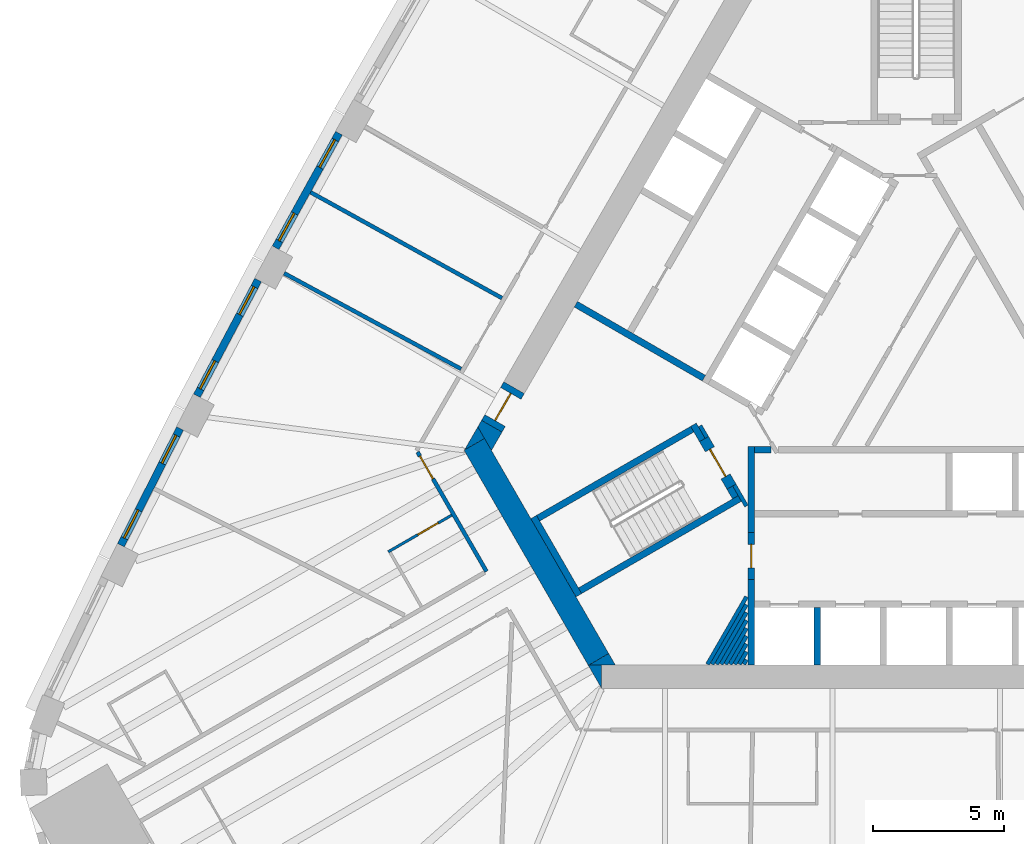
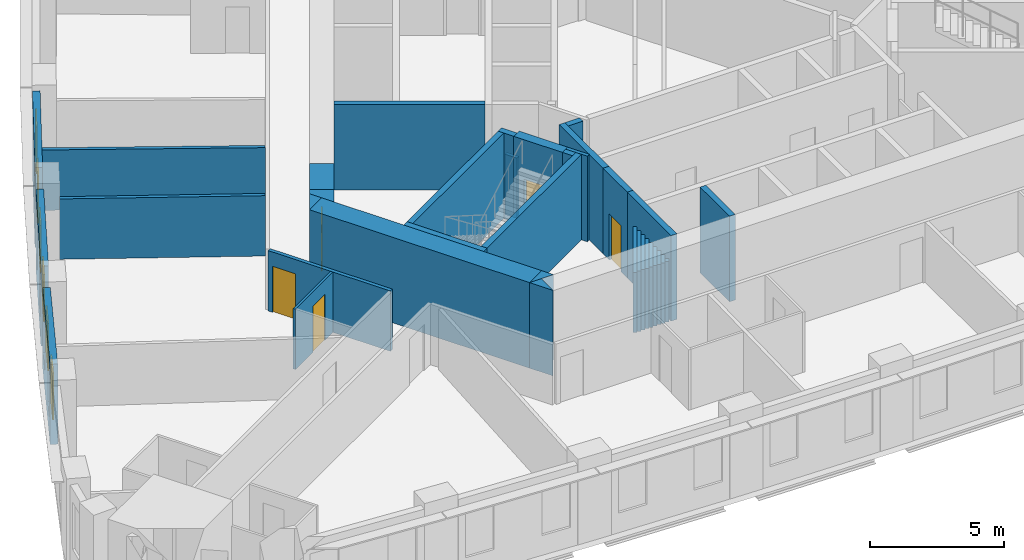
# One storey, part 4 of 12: 36 walls, 6 windows, 5 doors, 11 openings.
"""IFC4 building model written with IfcOpenShell, lengths in metres."""

from ifc_helpers import new_model, si_unit, direction, frame, frame_2d, origin, place, context, subcontext, project, spatial, polyline, rectangle, outline, extrude, material, layer, layer_set, type_object, element, fill, save


model = new_model("IFC4")

# Units and contexts
model_context = context("Model", 3, precision=1e-05, world=origin(), true_north=direction((0.0, 1.0)))
body_context = subcontext(model_context, "Body", "Model", "MODEL_VIEW")
ifc_project = project(units=[si_unit("LENGTHUNIT", "METRE"), si_unit("AREAUNIT", "SQUARE_METRE"), si_unit("VOLUMEUNIT", "CUBIC_METRE"), si_unit("PLANEANGLEUNIT", "RADIAN"), si_unit("MASSUNIT", "GRAM", prefix="KILO")], contexts=[model_context])

# Site, building, storey
site_placement = place(None, origin())
site = spatial("IfcSite", under=ifc_project, at=site_placement, CompositionType="ELEMENT")
building_placement = place(site_placement, origin())
building = spatial("IfcBuilding", under=site, at=building_placement, Name="Mestral Congress Tower", CompositionType="ELEMENT")
storey_placement = place(building_placement, frame((0.0, 0.0, 70.5)))
storey = spatial("IfcBuildingStorey", under=building, at=storey_placement, Name="L16", CompositionType="ELEMENT", Elevation=70.5)

# Walls
ifc_material_1 = material(Name="Fire-rated board partition")
ifc_layer_1 = layer(ifc_material_1, 0.14990234375)
ifc_layer_set_1 = layer_set([ifc_layer_1], Name="Fire-rated board partition")
wall_type_1 = type_object("IfcWallType", Name="Core partition 150", PredefinedType="PARTITIONING", material=ifc_layer_set_1)
wall_1_placement = place(storey_placement, frame((-7.967529296875, -12.068115234375, 0.0), z_axis=(0.0, 0.0, 1.0), x_axis=(0.500013701029, 0.866017493347, 0.0)))
element("IfcWall", 1, at=wall_1_placement, inside=storey, type_object=wall_type_1, Name="L16 core wall", PredefinedType="PARTITIONING", context=body_context, shape_type="SweptSolid", body=[
    extrude(rectangle(XDim=2.97509765625, YDim=0.14990234375, at=frame_2d((1.487548828125, 0.0))), origin(), (0.0, 0.0, 1.0), 2.75),
])
wall_2_placement = place(storey_placement, frame((-7.794189453125, -12.068115234375, 0.0), z_axis=(0.0, 0.0, 1.0), x_axis=(0.499985098601, 0.86603400694, 0.0)))
element("IfcWall", 2, at=wall_2_placement, inside=storey, type_object=wall_type_1, Name="L16 core wall", PredefinedType="PARTITIONING", context=body_context, shape_type="SweptSolid", body=[
    extrude(rectangle(XDim=2.62841796875, YDim=0.14990234375, at=frame_2d((1.314208984375, 0.0))), origin(), (0.0, 0.0, 1.0), 2.75),
])
wall_3_placement = place(storey_placement, frame((-7.62109375, -12.068115234375, 0.0), z_axis=(0.0, 0.0, 1.0), x_axis=(0.500028047758, 0.866009209798, 0.0)))
element("IfcWall", 3, at=wall_3_placement, inside=storey, type_object=wall_type_1, Name="L16 core wall", PredefinedType="PARTITIONING", context=body_context, shape_type="SweptSolid", body=[
    extrude(rectangle(XDim=2.281982421875, YDim=0.14990234375, at=frame_2d((1.14111328125, 0.0))), origin(), (0.0, 0.0, 1.0), 2.75),
])
wall_4_placement = place(storey_placement, frame((-7.447998046875, -12.068115234375, 0.0), z_axis=(0.0, 0.0, 1.0), x_axis=(0.500031751504, 0.866007071269, 0.0)))
element("IfcWall", 4, at=wall_4_placement, inside=storey, type_object=wall_type_1, Name="L16 core wall", PredefinedType="PARTITIONING", context=body_context, shape_type="SweptSolid", body=[
    extrude(rectangle(XDim=1.935791015625, YDim=0.14990234375, at=frame_2d((0.9677734375, 0.0))), origin(), (0.0, 0.0, 1.0), 2.75),
])
wall_5_placement = place(storey_placement, frame((-7.274658203125, -12.068115234375, 0.0), z_axis=(0.0, 0.0, 1.0), x_axis=(0.499988385283, 0.86603210944, 0.0)))
element("IfcWall", 5, at=wall_5_placement, inside=storey, type_object=wall_type_1, Name="L16 core wall", PredefinedType="PARTITIONING", context=body_context, shape_type="SweptSolid", body=[
    extrude(rectangle(XDim=1.58935546875, YDim=0.14990234375, at=frame_2d((0.794677734375, 0.0))), origin(), (0.0, 0.0, 1.0), 2.75),
])
wall_6_placement = place(storey_placement, frame((-7.1015625, -12.068115234375, 0.0), z_axis=(0.0, 0.0, 1.0), x_axis=(0.500068153333, 0.865986051864, 0.0)))
element("IfcWall", 6, at=wall_6_placement, inside=storey, type_object=wall_type_1, Name="L16 core wall", PredefinedType="PARTITIONING", context=body_context, shape_type="SweptSolid", body=[
    extrude(rectangle(XDim=1.242919921875, YDim=0.14990234375, at=frame_2d((0.62158203125, 0.0))), origin(), (0.0, 0.0, 1.0), 2.75),
])
wall_7_placement = place(storey_placement, frame((-6.92822265625, -12.068115234375, 0.0), z_axis=(0.0, 0.0, 1.0), x_axis=(0.500005339912, 0.866022320763, 0.0)))
element("IfcWall", 7, at=wall_7_placement, inside=storey, type_object=wall_type_1, Name="L16 core wall", PredefinedType="PARTITIONING", context=body_context, shape_type="SweptSolid", body=[
    extrude(rectangle(XDim=0.896484375, YDim=0.14990234375, at=frame_2d((0.4482421875, 0.0))), origin(), (0.0, 0.0, 1.0), 2.75),
])
wall_8_placement = place(storey_placement, frame((-6.755126953125, -12.068115234375, 0.0), z_axis=(0.0, 0.0, 1.0), x_axis=(0.500196256984, 0.865912065108, 0.0)))
element("IfcWall", 8, at=wall_8_placement, inside=storey, type_object=wall_type_1, Name="L16 core wall", PredefinedType="PARTITIONING", context=body_context, shape_type="SweptSolid", body=[
    extrude(rectangle(XDim=0.550048828125, YDim=0.14990234375, at=frame_2d((0.27490234375, 0.0))), origin(), (0.0, 0.0, 1.0), 2.75),
])
wall_9_placement = place(storey_placement, frame((-6.581787109375, -12.068115234375, 0.0), z_axis=(0.0, 0.0, 1.0), x_axis=(0.499618727529, 0.866245419672, 0.0)))
element("IfcWall", 9, at=wall_9_placement, inside=storey, type_object=wall_type_1, Name="L16 core wall", PredefinedType="PARTITIONING", context=body_context, shape_type="SweptSolid", body=[
    extrude(rectangle(XDim=0.203857421875, YDim=0.14990234375, at=frame_2d((0.10205078125, 0.0))), origin(), (0.0, 0.0, 1.0), 2.75),
])
wall_10_placement = place(storey_placement, frame((-8.251953125, -2.958251953125, 0.0), z_axis=(0.0, 0.0, 1.0), x_axis=(0.500174715838, -0.865924508047, 0.0)))
element("IfcWall", 10, at=wall_10_placement, inside=storey, type_object=wall_type_1, Name="L16 core wall", PredefinedType="PARTITIONING", context=body_context, shape_type="SweptSolid", body=[
    extrude(rectangle(XDim=0.513916015625, YDim=0.14990234375, at=frame_2d((0.2568359375, 0.0))), origin(), (0.0, 0.0, 1.0), 2.75),
])
ifc_material_2 = material(Name="Concrete C60/75", Category="concrete")
ifc_layer_2 = layer(ifc_material_2, 0.89990234375)
ifc_layer_set_2 = layer_set([ifc_layer_2], Name="Concrete C60/75")
wall_type_2 = type_object("IfcWallType", Name="Core wall RC 900", PredefinedType="SOLIDWALL", material=ifc_layer_set_2)
placement = place(storey_placement, origin())
element("IfcWall", 11, at=placement, inside=storey, type_object=wall_type_2, Name="L16 core wall", PredefinedType="SOLIDWALL", context=body_context, shape_type="SweptSolid", body=[
    extrude(outline(polyline([(-12.528564453125, -12.10009765625), (-12.0205078125, -12.10009765625), (-12.0205078125, -12.97998046875), (-12.528564453125, -12.10009765625)])), origin(), (0.0, 0.0, 1.0), 3.89990234375),
])
wall_12_placement = place(storey_placement, frame((-12.134033203125, -11.88330078125, 0.0), z_axis=(0.0, 0.0, 1.0), x_axis=(-0.500005339912, 0.866022320763, 0.0)))
element("IfcWall", 12, at=wall_12_placement, inside=storey, type_object=wall_type_2, Name="L16 core wall", PredefinedType="SOLIDWALL", context=body_context, shape_type="SweptSolid", body=[
    extrude(rectangle(XDim=9.48779296875, YDim=0.89990234375, at=frame_2d((4.743896484375, 0.0))), origin(), (0.0, 0.0, 1.0), 3.89990234375),
])
element("IfcWall", 13, at=placement, inside=storey, type_object=wall_type_2, Name="L16 core wall", PredefinedType="SOLIDWALL", context=body_context, shape_type="SweptSolid", body=[
    extrude(outline(polyline([(-16.4892578125, -3.43994140625), (-17.251220703125, -3.8798828125), (-16.7431640625, -3.0), (-16.4892578125, -3.43994140625)])), origin(), (0.0, 0.0, 1.0), 3.89990234375),
])
element("IfcWall", 14, at=placement, inside=storey, type_object=wall_type_2, Name="L16 core wall", PredefinedType="SOLIDWALL", context=body_context, shape_type="SweptSolid", body=[
    extrude(outline(polyline([(-11.4892578125, -12.10009765625), (-12.50537109375, -12.10009765625), (-11.743408203125, -11.66015625), (-11.4892578125, -12.10009765625)])), origin(), (0.0, 0.0, 1.0), 3.89990234375),
])
element("IfcWall", 15, at=placement, inside=storey, type_object=wall_type_2, Name="L16 core wall", PredefinedType="SOLIDWALL", context=body_context, shape_type="SweptSolid", body=[
    extrude(outline(polyline([(-15.81982421875, -3.20068359375), (-16.223388671875, -3.89990234375), (-16.7431640625, -3.0), (-16.599365234375, -2.750732421875), (-15.81982421875, -3.20068359375)])), origin(), (0.0, 0.0, 1.0), 3.89990234375),
])

# Wall, opening, door
wall_16_placement = place(storey_placement, frame((-16.20947265625, -2.9755859375, 0.0), z_axis=(0.0, 0.0, 1.0), x_axis=(0.499954529098, 0.86605165483, 0.0)))
wall_16 = element("IfcWall", 16, at=wall_16_placement, inside=storey, type_object=wall_type_2, Name="L16 door wall", PredefinedType="SOLIDWALL", context=body_context, shape_type="SweptSolid", body=[
    extrude(rectangle(XDim=1.699951171875, YDim=0.89990234375, at=frame_2d((0.85009765625, 0.0))), origin(), (0.0, 0.0, 1.0), 3.89990234375),
])
opening_1_placement = place(wall_16_placement, frame((0.25, 0.0, 0.0)))
opening_1 = element("IfcOpeningElement", 17, at=opening_1_placement, cuts=wall_16, Name="Opening XD3", PredefinedType="OPENING", context=body_context, shape_type="SweptSolid", body=[
    extrude(rectangle(XDim=1.199951171875, YDim=2.10009765625, at=frame_2d((0.60009765625, 1.050048828125))), frame((0.0, 0.4599609375, 0.0), z_axis=(0.0, -1.0, 0.0), x_axis=(1.0, 0.0, 0.0)), (0.0, 0.0, 1.0), 0.919921875),
])
ifc_material_3 = material(Name="Fire-rated steel door set", Category="steel")
door_type_1 = type_object("IfcDoorType", Name="Core door XD 1200x2100", OperationType="SINGLE_SWING_LEFT", PredefinedType="DOOR", material=ifc_material_3)
door_1_placement = place(opening_1_placement, origin())
door_1 = element("IfcDoor", 18, at=door_1_placement, inside=storey, type_object=door_type_1, Name="Door XD3", OperationType="SINGLE_SWING_LEFT", OverallHeight=2.10009765625, OverallWidth=1.199951171875, PredefinedType="DOOR", context=body_context, shape_type="SweptSolid", body=[
    extrude(rectangle(XDim=1.199951171875, YDim=2.10009765625, at=frame_2d((0.60009765625, 1.050048828125))), frame((0.0, 0.02490234375, 0.0), z_axis=(0.0, -1.0, 0.0), x_axis=(1.0, 0.0, 0.0)), (0.0, 0.0, 1.0), 0.050048828125),
])
fill(opening_1, door_1)

# Wall, openings, windows
ifc_material_4 = material(Name="Precast concrete C40/50 with limestone facing", Category="masonry")
ifc_layer_3 = layer(ifc_material_4, 0.2900390625)
ifc_layer_set_3 = layer_set([ifc_layer_3], Name="Precast concrete C40/50 with limestone facing")
wall_type_3 = type_object("IfcWallType", Name="Facade stone wall 290", PredefinedType="SOLIDWALL", material=ifc_layer_set_3)
wall_17_placement = place(storey_placement, frame((-22.049560546875, 8.2197265625, 0.0), z_axis=(0.0, 0.0, 1.0), x_axis=(-0.483912572871, -0.875116347589, 0.0)))
wall_17 = element("IfcWall", 19, at=wall_17_placement, inside=storey, type_object=wall_type_3, Name="Facade wall F2-05", PredefinedType="SOLIDWALL", context=body_context, shape_type="SweptSolid", body=[
    extrude(rectangle(XDim=4.998291015625, YDim=0.2900390625, at=frame_2d((2.4990234375, 0.0))), origin(), (0.0, 0.0, 1.0), 3.64990234375),
])
opening_2_placement = place(wall_17_placement, frame((0.297119140625, 0.0, 0.89990234375)))
opening_2 = element("IfcOpeningElement", 20, at=opening_2_placement, cuts=wall_17, Name="Opening W1", PredefinedType="OPENING", context=body_context, shape_type="SweptSolid", body=[
    extrude(rectangle(XDim=1.199951171875, YDim=2.14990234375, at=frame_2d((0.60009765625, 1.074951171875))), frame((0.0, 0.155029296875, 0.0), z_axis=(0.0, -1.0, 0.0), x_axis=(1.0, 0.0, 0.0)), (0.0, 0.0, 1.0), 0.31005859375),
])
opening_3_placement = place(wall_17_placement, frame((3.501220703125, 0.0, 0.89990234375)))
opening_3 = element("IfcOpeningElement", 21, at=opening_3_placement, cuts=wall_17, Name="Opening W1", PredefinedType="OPENING", context=body_context, shape_type="SweptSolid", body=[
    extrude(rectangle(XDim=1.199951171875, YDim=2.14990234375, at=frame_2d((0.60009765625, 1.074951171875))), frame((0.0, 0.155029296875, 0.0), z_axis=(0.0, -1.0, 0.0), x_axis=(1.0, 0.0, 0.0)), (0.0, 0.0, 1.0), 0.31005859375),
])
ifc_material_5 = material(Name="Clear low-emissivity double glazing", Category="glass")
window_type = type_object("IfcWindowType", Name="Facade punched window 1200 x 2150 sill 900", PartitioningType="DOUBLE_PANEL_VERTICAL", PredefinedType="WINDOW", material=ifc_material_5)
window_1_placement = place(opening_2_placement, origin())
window_1 = element("IfcWindow", 22, at=window_1_placement, inside=storey, type_object=window_type, Name="Window F2-05a", OverallHeight=2.14990234375, OverallWidth=1.199951171875, PartitioningType="DOUBLE_PANEL_VERTICAL", PredefinedType="WINDOW", context=body_context, shape_type="SweptSolid", body=[
    extrude(rectangle(XDim=1.199951171875, YDim=2.14990234375, at=frame_2d((0.60009765625, 1.074951171875))), frame((0.0, 0.01513671875, 0.0), z_axis=(0.0, -1.0, 0.0), x_axis=(1.0, 0.0, 0.0)), (0.0, 0.0, 1.0), 0.06005859375),
])
fill(opening_2, window_1)
window_2_placement = place(opening_3_placement, origin())
window_2 = element("IfcWindow", 23, at=window_2_placement, inside=storey, type_object=window_type, Name="Window F2-05b", OverallHeight=2.14990234375, OverallWidth=1.199951171875, PartitioningType="DOUBLE_PANEL_VERTICAL", PredefinedType="WINDOW", context=body_context, shape_type="SweptSolid", body=[
    extrude(rectangle(XDim=1.199951171875, YDim=2.14990234375, at=frame_2d((0.60009765625, 1.074951171875))), frame((0.0, 0.01513671875, 0.0), z_axis=(0.0, -1.0, 0.0), x_axis=(1.0, 0.0, 0.0)), (0.0, 0.0, 1.0), 0.06005859375),
])
fill(opening_3, window_2)

wall_18_placement = place(storey_placement, frame((-25.1376953125, 2.60791015625, 0.0), z_axis=(0.0, 0.0, 1.0), x_axis=(-0.467629620899, -0.883924509026, 0.0)))
wall_18 = element("IfcWall", 24, at=wall_18_placement, inside=storey, type_object=wall_type_3, Name="Facade wall F2-06", PredefinedType="SOLIDWALL", context=body_context, shape_type="SweptSolid", body=[
    extrude(rectangle(XDim=4.998291015625, YDim=0.2900390625, at=frame_2d((2.4990234375, 0.0))), origin(), (0.0, 0.0, 1.0), 3.64990234375),
])
opening_4_placement = place(wall_18_placement, frame((0.297119140625, 0.0, 0.89990234375)))
opening_4 = element("IfcOpeningElement", 25, at=opening_4_placement, cuts=wall_18, Name="Opening W1", PredefinedType="OPENING", context=body_context, shape_type="SweptSolid", body=[
    extrude(rectangle(XDim=1.199951171875, YDim=2.14990234375, at=frame_2d((0.60009765625, 1.074951171875))), frame((0.0, 0.155029296875, 0.0), z_axis=(0.0, -1.0, 0.0), x_axis=(1.0, 0.0, 0.0)), (0.0, 0.0, 1.0), 0.31005859375),
])
opening_5_placement = place(wall_18_placement, frame((3.501220703125, 0.0, 0.89990234375)))
opening_5 = element("IfcOpeningElement", 26, at=opening_5_placement, cuts=wall_18, Name="Opening W1", PredefinedType="OPENING", context=body_context, shape_type="SweptSolid", body=[
    extrude(rectangle(XDim=1.199951171875, YDim=2.14990234375, at=frame_2d((0.60009765625, 1.074951171875))), frame((0.0, 0.155029296875, 0.0), z_axis=(0.0, -1.0, 0.0), x_axis=(1.0, 0.0, 0.0)), (0.0, 0.0, 1.0), 0.31005859375),
])
window_3_placement = place(opening_4_placement, origin())
window_3 = element("IfcWindow", 27, at=window_3_placement, inside=storey, type_object=window_type, Name="Window F2-06a", OverallHeight=2.14990234375, OverallWidth=1.199951171875, PartitioningType="DOUBLE_PANEL_VERTICAL", PredefinedType="WINDOW", context=body_context, shape_type="SweptSolid", body=[
    extrude(rectangle(XDim=1.199951171875, YDim=2.14990234375, at=frame_2d((0.60009765625, 1.074951171875))), frame((0.0, 0.01513671875, 0.0), z_axis=(0.0, -1.0, 0.0), x_axis=(1.0, 0.0, 0.0)), (0.0, 0.0, 1.0), 0.06005859375),
])
fill(opening_4, window_3)
window_4_placement = place(opening_5_placement, origin())
window_4 = element("IfcWindow", 28, at=window_4_placement, inside=storey, type_object=window_type, Name="Window F2-06b", OverallHeight=2.14990234375, OverallWidth=1.199951171875, PartitioningType="DOUBLE_PANEL_VERTICAL", PredefinedType="WINDOW", context=body_context, shape_type="SweptSolid", body=[
    extrude(rectangle(XDim=1.199951171875, YDim=2.14990234375, at=frame_2d((0.60009765625, 1.074951171875))), frame((0.0, 0.01513671875, 0.0), z_axis=(0.0, -1.0, 0.0), x_axis=(1.0, 0.0, 0.0)), (0.0, 0.0, 1.0), 0.06005859375),
])
fill(opening_5, window_4)

wall_19_placement = place(storey_placement, frame((-28.12158203125, -3.06005859375, 0.0), z_axis=(0.0, 0.0, 1.0), x_axis=(-0.451233929645, -0.892405704115, 0.0)))
wall_19 = element("IfcWall", 29, at=wall_19_placement, inside=storey, type_object=wall_type_3, Name="Facade wall F2-07", PredefinedType="SOLIDWALL", context=body_context, shape_type="SweptSolid", body=[
    extrude(rectangle(XDim=4.998291015625, YDim=0.2900390625, at=frame_2d((2.4990234375, 0.0))), origin(), (0.0, 0.0, 1.0), 3.64990234375),
])
opening_6_placement = place(wall_19_placement, frame((0.297119140625, 0.0, 0.89990234375)))
opening_6 = element("IfcOpeningElement", 30, at=opening_6_placement, cuts=wall_19, Name="Opening W1", PredefinedType="OPENING", context=body_context, shape_type="SweptSolid", body=[
    extrude(rectangle(XDim=1.199951171875, YDim=2.14990234375, at=frame_2d((0.60009765625, 1.074951171875))), frame((0.0, 0.155029296875, 0.0), z_axis=(0.0, -1.0, 0.0), x_axis=(1.0, 0.0, 0.0)), (0.0, 0.0, 1.0), 0.31005859375),
])
opening_7_placement = place(wall_19_placement, frame((3.501220703125, 0.0, 0.89990234375)))
opening_7 = element("IfcOpeningElement", 31, at=opening_7_placement, cuts=wall_19, Name="Opening W1", PredefinedType="OPENING", context=body_context, shape_type="SweptSolid", body=[
    extrude(rectangle(XDim=1.199951171875, YDim=2.14990234375, at=frame_2d((0.60009765625, 1.074951171875))), frame((0.0, 0.155029296875, 0.0), z_axis=(0.0, -1.0, 0.0), x_axis=(1.0, 0.0, 0.0)), (0.0, 0.0, 1.0), 0.31005859375),
])
window_5_placement = place(opening_6_placement, origin())
window_5 = element("IfcWindow", 32, at=window_5_placement, inside=storey, type_object=window_type, Name="Window F2-07a", OverallHeight=2.14990234375, OverallWidth=1.199951171875, PartitioningType="DOUBLE_PANEL_VERTICAL", PredefinedType="WINDOW", context=body_context, shape_type="SweptSolid", body=[
    extrude(rectangle(XDim=1.199951171875, YDim=2.14990234375, at=frame_2d((0.60009765625, 1.074951171875))), frame((0.0, 0.01513671875, 0.0), z_axis=(0.0, -1.0, 0.0), x_axis=(1.0, 0.0, 0.0)), (0.0, 0.0, 1.0), 0.06005859375),
])
fill(opening_6, window_5)
window_6_placement = place(opening_7_placement, origin())
window_6 = element("IfcWindow", 33, at=window_6_placement, inside=storey, type_object=window_type, Name="Window F2-07b", OverallHeight=2.14990234375, OverallWidth=1.199951171875, PartitioningType="DOUBLE_PANEL_VERTICAL", PredefinedType="WINDOW", context=body_context, shape_type="SweptSolid", body=[
    extrude(rectangle(XDim=1.199951171875, YDim=2.14990234375, at=frame_2d((0.60009765625, 1.074951171875))), frame((0.0, 0.01513671875, 0.0), z_axis=(0.0, -1.0, 0.0), x_axis=(1.0, 0.0, 0.0)), (0.0, 0.0, 1.0), 0.06005859375),
])
fill(opening_7, window_6)

# Wall, opening, door
ifc_material_6 = material(Name="Gypsum board partition on metal studs with mineral wool", Category="composite")
ifc_layer_4 = layer(ifc_material_6, 0.10009765625)
ifc_layer_set_4 = layer_set([ifc_layer_4], Name="Gypsum board partition on metal studs with mineral wool")
wall_type_4 = type_object("IfcWallType", Name="Hotel partition wall 100", PredefinedType="PARTITIONING", material=ifc_layer_set_4)
wall_20_placement = place(storey_placement, frame((-17.740234375, -6.372802734375, 0.0), z_axis=(0.0, 0.0, 1.0), x_axis=(-0.866018616679, -0.500011755427, 0.0)))
wall_20 = element("IfcWall", 34, at=wall_20_placement, inside=storey, type_object=wall_type_4, Name="L16-h-pod22a", PredefinedType="PARTITIONING", context=body_context, shape_type="SweptSolid", body=[
    extrude(rectangle(XDim=2.80029296875, YDim=0.10009765625, at=frame_2d((1.400146484375, 0.0))), origin(), (0.0, 0.0, 1.0), 2.75),
])
opening_8_placement = place(wall_20_placement, frame((0.60009765625, 0.0, 0.0)))
opening_8 = element("IfcOpeningElement", 35, at=opening_8_placement, cuts=wall_20, Name="Opening H04-042", PredefinedType="OPENING", context=body_context, shape_type="SweptSolid", body=[
    extrude(rectangle(XDim=0.89990234375, YDim=2.10009765625, at=frame_2d((0.449951171875, 1.050048828125))), frame((0.0, 0.06005859375, 0.0), z_axis=(0.0, -1.0, 0.0), x_axis=(1.0, 0.0, 0.0)), (0.0, 0.0, 1.0), 0.1201171875),
])
ifc_material_7 = material(Name="Timber veneer door leaf in timber frame", Category="wood")
door_type_2 = type_object("IfcDoorType", Name="Bathroom door 900", OperationType="SINGLE_SWING_LEFT", PredefinedType="DOOR", material=ifc_material_7)
door_2_placement = place(opening_8_placement, origin())
door_2 = element("IfcDoor", 36, at=door_2_placement, inside=storey, type_object=door_type_2, Name="L16-h-d042", OperationType="SINGLE_SWING_LEFT", OverallHeight=2.10009765625, OverallWidth=0.89990234375, PredefinedType="DOOR", context=body_context, shape_type="SweptSolid", body=[
    extrude(rectangle(XDim=0.89990234375, YDim=2.10009765625, at=frame_2d((0.449951171875, 1.050048828125))), frame((0.0, 0.02490234375, 0.0), z_axis=(0.0, -1.0, 0.0), x_axis=(1.0, 0.0, 0.0)), (0.0, 0.0, 1.0), 0.050048828125),
])
fill(opening_8, door_2)

ifc_layer_5 = layer(ifc_material_6, 0.14990234375)
ifc_layer_set_5 = layer_set([ifc_layer_5], Name="Gypsum board partition on metal studs with mineral wool")
wall_type_5 = type_object("IfcWallType", Name="Hotel partition wall 150", PredefinedType="PARTITIONING", material=ifc_layer_set_5)
wall_21_placement = place(storey_placement, frame((-16.412353515625, -8.52294921875, 0.0), z_axis=(0.0, 0.0, 1.0), x_axis=(-0.500001929737, 0.866024289647, 0.0)))
wall_21 = element("IfcWall", 37, at=wall_21_placement, inside=storey, type_object=wall_type_5, Name="L16-h-cw09", PredefinedType="PARTITIONING", context=body_context, shape_type="SweptSolid", body=[
    extrude(rectangle(XDim=5.26806640625, YDim=0.14990234375, at=frame_2d((2.634033203125, 0.0))), origin(), (0.0, 0.0, 1.0), 2.75),
])
opening_9_placement = place(wall_21_placement, frame((4.088134765625, 0.0, 0.0)))
opening_9 = element("IfcOpeningElement", 38, at=opening_9_placement, cuts=wall_21, Name="Opening H04-041", PredefinedType="OPENING", context=body_context, shape_type="SweptSolid", body=[
    extrude(rectangle(XDim=1.0, YDim=2.10009765625, at=frame_2d((0.5, 1.050048828125))), frame((0.0, 0.0849609375, 0.0), z_axis=(0.0, -1.0, 0.0), x_axis=(1.0, 0.0, 0.0)), (0.0, 0.0, 1.0), 0.169921875),
])
ifc_material_8 = material(Name="Timber veneer door leaf in metal frame", Category="wood")
door_type_3 = type_object("IfcDoorType", Name="Guest room entrance door 1000", OperationType="SINGLE_SWING_LEFT", PredefinedType="DOOR", material=ifc_material_8)
door_3_placement = place(opening_9_placement, origin())
door_3 = element("IfcDoor", 39, at=door_3_placement, inside=storey, type_object=door_type_3, Name="L16-h-d041", OperationType="SINGLE_SWING_RIGHT", OverallHeight=2.10009765625, OverallWidth=1.0, PredefinedType="DOOR", context=body_context, shape_type="SweptSolid", body=[
    extrude(rectangle(XDim=1.0, YDim=2.10009765625, at=frame_2d((0.5, 1.050048828125))), frame((0.0, 0.02490234375, 0.0), z_axis=(0.0, -1.0, 0.0), x_axis=(1.0, 0.0, 0.0)), (0.0, 0.0, 1.0), 0.050048828125),
])
fill(opening_9, door_3)

# Walls
wall_22_placement = place(storey_placement, frame((-24.14453125, 2.87060546875, 0.0), z_axis=(0.0, 0.0, 1.0), x_axis=(0.879551725039, -0.475803281809, 0.0)))
element("IfcWall", 40, at=wall_22_placement, inside=storey, type_object=wall_type_5, Name="L16-h-pw03", PredefinedType="PARTITIONING", context=body_context, shape_type="SweptSolid", body=[
    extrude(rectangle(XDim=7.68798828125, YDim=0.14990234375, at=frame_2d((3.843994140625, 0.0))), origin(), (0.0, 0.0, 1.0), 2.75),
])
wall_23_placement = place(storey_placement, frame((-23.1318359375, 5.96240234375, 0.0), z_axis=(0.0, 0.0, 1.0), x_axis=(0.875121716713, -0.483902863121, 0.0)))
element("IfcWall", 41, at=wall_23_placement, inside=storey, type_object=wall_type_5, Name="L16-h-pw04", PredefinedType="PARTITIONING", context=body_context, shape_type="SweptSolid", body=[
    extrude(rectangle(XDim=8.35546875, YDim=0.14990234375, at=frame_2d((4.177734375, 0.0))), origin(), (0.0, 0.0, 1.0), 2.75),
])
ifc_layer_6 = layer(ifc_material_2, 0.25)
ifc_layer_set_6 = layer_set([ifc_layer_6], Name="Concrete C60/75")
wall_type_6 = type_object("IfcWallType", Name="Shaft wall RC 250", PredefinedType="SOLIDWALL", material=ifc_layer_set_6)
wall_24_placement = place(storey_placement, frame((-3.780029296875, -12.10009765625, 0.0), z_axis=(0.0, 0.0, 1.0), x_axis=(0.0, 1.0, 0.0)))
element("IfcWall", 42, at=wall_24_placement, inside=storey, type_object=wall_type_6, Name="L16 core wall", PredefinedType="SOLIDWALL", context=body_context, shape_type="SweptSolid", body=[
    extrude(rectangle(XDim=2.199951171875, YDim=0.25, at=frame_2d((1.10009765625, 0.0))), origin(), (0.0, 0.0, 1.0), 3.89990234375),
])
wall_25_placement = place(storey_placement, frame((-6.300048828125, -12.10009765625, 0.0), z_axis=(0.0, 0.0, 1.0), x_axis=(0.0, 1.0, 0.0)))
element("IfcWall", 43, at=wall_25_placement, inside=storey, type_object=wall_type_6, Name="L16 core wall", PredefinedType="SOLIDWALL", context=body_context, shape_type="SweptSolid", body=[
    extrude(rectangle(XDim=3.2646484375, YDim=0.25, at=frame_2d((1.63232421875, 0.0))), origin(), (0.0, 0.0, 1.0), 3.89990234375),
])
wall_26_placement = place(storey_placement, frame((-6.300048828125, -7.03515625, 0.0), z_axis=(0.0, 0.0, 1.0), x_axis=(0.0, 1.0, 0.0)))
element("IfcWall", 44, at=wall_26_placement, inside=storey, type_object=wall_type_6, Name="L16 core wall", PredefinedType="SOLIDWALL", context=body_context, shape_type="SweptSolid", body=[
    extrude(rectangle(XDim=3.28515625, YDim=0.25, at=frame_2d((1.642578125, 0.0))), origin(), (0.0, 0.0, 1.0), 3.89990234375),
])
wall_27_placement = place(storey_placement, frame((-6.175048828125, -3.875, 0.0), z_axis=(0.0, 0.0, 1.0), x_axis=(1.0, 0.0, 0.0)))
element("IfcWall", 45, at=wall_27_placement, inside=storey, type_object=wall_type_6, Name="L16 core wall", PredefinedType="SOLIDWALL", context=body_context, shape_type="SweptSolid", body=[
    extrude(rectangle(XDim=0.63671875, YDim=0.25, at=frame_2d((0.318359375, 0.0))), origin(), (0.0, 0.0, 1.0), 3.89990234375),
])
wall_28_placement = place(storey_placement, frame((-8.10595703125, -1.139892578125, 0.0), z_axis=(0.0, 0.0, 1.0), x_axis=(-0.866000643155, 0.500042884217, 0.0)))
element("IfcWall", 46, at=wall_28_placement, inside=storey, type_object=wall_type_6, Name="L16 core wall", PredefinedType="SOLIDWALL", context=body_context, shape_type="SweptSolid", body=[
    extrude(rectangle(XDim=5.64990234375, YDim=0.25, at=frame_2d((2.824951171875, 0.0))), origin(), (0.0, 0.0, 1.0), 3.89990234375),
])

# Wall, opening, door
wall_29_placement = place(storey_placement, frame((-6.300048828125, -7.035400390625, 0.0), z_axis=(0.0, 0.0, 1.0), x_axis=(0.0, -1.0, 0.0)))
wall_29 = element("IfcWall", 47, at=wall_29_placement, inside=storey, type_object=wall_type_6, Name="L16 door wall", PredefinedType="SOLIDWALL", context=body_context, shape_type="SweptSolid", body=[
    extrude(rectangle(XDim=1.7998046875, YDim=0.25, at=frame_2d((0.89990234375, 0.0))), origin(), (0.0, 0.0, 1.0), 3.89990234375),
])
opening_10_placement = place(wall_29_placement, frame((0.449951171875, 0.0, 0.0)))
opening_10 = element("IfcOpeningElement", 48, at=opening_10_placement, cuts=wall_29, Name="Opening TD3", PredefinedType="OPENING", context=body_context, shape_type="SweptSolid", body=[
    extrude(rectangle(XDim=0.89990234375, YDim=2.10009765625, at=frame_2d((0.449951171875, 1.050048828125))), frame((0.0, 0.135009765625, 0.0), z_axis=(0.0, -1.0, 0.0), x_axis=(1.0, 0.0, 0.0)), (0.0, 0.0, 1.0), 0.27001953125),
])
door_type_4 = type_object("IfcDoorType", Name="Core door SR 900x2100", OperationType="SINGLE_SWING_LEFT", PredefinedType="DOOR", material=ifc_material_3)
door_4_placement = place(opening_10_placement, origin())
door_4 = element("IfcDoor", 49, at=door_4_placement, inside=storey, type_object=door_type_4, Name="Door TD3", OperationType="SINGLE_SWING_LEFT", OverallHeight=2.10009765625, OverallWidth=0.89990234375, PredefinedType="DOOR", context=body_context, shape_type="SweptSolid", body=[
    extrude(rectangle(XDim=0.89990234375, YDim=2.10009765625, at=frame_2d((0.449951171875, 1.050048828125))), frame((0.0, 0.02490234375, 0.0), z_axis=(0.0, -1.0, 0.0), x_axis=(1.0, 0.0, 0.0)), (0.0, 0.0, 1.0), 0.050048828125),
])
fill(opening_10, door_4)

# Walls
ifc_layer_7 = layer(ifc_material_2, 0.14990234375)
ifc_layer_set_7 = layer_set([ifc_layer_7], Name="Concrete C60/75")
wall_type_7 = type_object("IfcWallType", Name="Shaft wall RC 250 door-wall 150", PredefinedType="SOLIDWALL", material=ifc_layer_set_7)
wall_30_placement = place(storey_placement, frame((-6.48046875, -6.026611328125, 0.0), z_axis=(0.0, 0.0, 1.0), x_axis=(-0.499927229454, 0.866067413802, 0.0)))
element("IfcWall", 50, at=wall_30_placement, inside=storey, type_object=wall_type_7, Name="L16 core wall", PredefinedType="PARTITIONING", context=body_context, shape_type="SweptSolid", body=[
    extrude(rectangle(XDim=0.928955078125, YDim=0.14990234375, at=frame_2d((0.46435546875, 0.0))), origin(), (0.0, 0.0, 1.0), 3.89990234375),
])
ifc_layer_8 = layer(ifc_material_2, 0.25)
ifc_layer_set_8 = layer_set([ifc_layer_8], Name="Concrete C60/75")
wall_type_8 = type_object("IfcWallType", Name="Stair wall RC 250", PredefinedType="SOLIDWALL", material=ifc_layer_set_8)
wall_31_placement = place(storey_placement, frame((-12.885498046875, -9.431396484375, 0.0), z_axis=(0.0, 0.0, 1.0), x_axis=(-0.500020560727, 0.866013532718, 0.0)))
element("IfcWall", 51, at=wall_31_placement, inside=storey, type_object=wall_type_8, Name="L16 core wall", PredefinedType="SOLIDWALL", context=body_context, shape_type="SweptSolid", body=[
    extrude(rectangle(XDim=3.449951171875, YDim=0.25, at=frame_2d((1.72509765625, 0.0))), origin(), (0.0, 0.0, 1.0), 3.89990234375),
])
wall_32_placement = place(storey_placement, frame((-14.43994140625, -6.489501953125, 0.0), z_axis=(0.0, 0.0, 1.0), x_axis=(0.866022966069, 0.500004222222, 0.0)))
element("IfcWall", 52, at=wall_32_placement, inside=storey, type_object=wall_type_8, Name="L16 core wall", PredefinedType="SOLIDWALL", context=body_context, shape_type="SweptSolid", body=[
    extrude(rectangle(XDim=6.80029296875, YDim=0.25, at=frame_2d((3.400146484375, 0.0))), origin(), (0.0, 0.0, 1.0), 3.89990234375),
])
wall_33_placement = place(storey_placement, frame((-8.167724609375, -3.503173828125, 0.0), z_axis=(0.0, 0.0, 1.0), x_axis=(-0.499952099219, 0.866053057547, 0.0)))
element("IfcWall", 53, at=wall_33_placement, inside=storey, type_object=wall_type_8, Name="L16 core wall", PredefinedType="SOLIDWALL", context=body_context, shape_type="SweptSolid", body=[
    extrude(rectangle(XDim=0.6748046875, YDim=0.25, at=frame_2d((0.33740234375, 0.0))), origin(), (0.0, 0.0, 1.0), 3.89990234375),
])
wall_34_placement = place(storey_placement, frame((-12.83984375, -9.2607421875, 0.0), z_axis=(0.0, 0.0, 1.0), x_axis=(0.866016039709, 0.500016218704, 0.0)))
element("IfcWall", 54, at=wall_34_placement, inside=storey, type_object=wall_type_8, Name="L16 core wall", PredefinedType="SOLIDWALL", context=body_context, shape_type="SweptSolid", body=[
    extrude(rectangle(XDim=7.050048828125, YDim=0.25, at=frame_2d((3.52490234375, 0.0))), origin(), (0.0, 0.0, 1.0), 3.89990234375),
])
wall_35_placement = place(storey_placement, frame((-6.905029296875, -5.68994140625, 0.0), z_axis=(0.0, 0.0, 1.0), x_axis=(-0.500402024738, 0.865793170242, 0.0)))
element("IfcWall", 55, at=wall_35_placement, inside=storey, type_object=wall_type_8, Name="L16 core wall", PredefinedType="SOLIDWALL", context=body_context, shape_type="SweptSolid", body=[
    extrude(rectangle(XDim=0.425048828125, YDim=0.25, at=frame_2d((0.21240234375, 0.0))), origin(), (0.0, 0.0, 1.0), 3.89990234375),
])

# Wall, opening, door
ifc_layer_9 = layer(ifc_material_2, 0.39990234375)
ifc_layer_set_9 = layer_set([ifc_layer_9], Name="Concrete C60/75")
wall_type_9 = type_object("IfcWallType", Name="Stair wall RC 250 door-wall 400", PredefinedType="SOLIDWALL", material=ifc_layer_set_9)
wall_36_placement = place(storey_placement, frame((-8.102783203125, -3.4658203125, 0.0), z_axis=(0.0, 0.0, 1.0), x_axis=(0.500078061341, -0.865980330357, 0.0)))
wall_36 = element("IfcWall", 56, at=wall_36_placement, inside=storey, type_object=wall_type_9, Name="L16 door wall", PredefinedType="SOLIDWALL", context=body_context, shape_type="SweptSolid", body=[
    extrude(rectangle(XDim=2.099853515625, YDim=0.39990234375, at=frame_2d((1.0498046875, 0.0))), origin(), (0.0, 0.0, 1.0), 3.89990234375),
])
opening_11_placement = place(wall_36_placement, frame((0.449951171875, 0.0, 0.0)))
opening_11 = element("IfcOpeningElement", 57, at=opening_11_placement, cuts=wall_36, Name="Opening ST-D3", PredefinedType="OPENING", context=body_context, shape_type="SweptSolid", body=[
    extrude(rectangle(XDim=1.199951171875, YDim=2.10009765625, at=frame_2d((0.60009765625, 1.050048828125))), frame((0.0, 0.2099609375, 0.0), z_axis=(0.0, -1.0, 0.0), x_axis=(1.0, 0.0, 0.0)), (0.0, 0.0, 1.0), 0.419921875),
])
door_type_5 = type_object("IfcDoorType", Name="Core door ST 1200x2100", OperationType="SINGLE_SWING_LEFT", PredefinedType="DOOR", material=ifc_material_3)
door_5_placement = place(opening_11_placement, origin())
door_5 = element("IfcDoor", 58, at=door_5_placement, inside=storey, type_object=door_type_5, Name="Door ST-D3", OperationType="SINGLE_SWING_LEFT", OverallHeight=2.10009765625, OverallWidth=1.199951171875, PredefinedType="DOOR", context=body_context, shape_type="SweptSolid", body=[
    extrude(rectangle(XDim=1.199951171875, YDim=2.10009765625, at=frame_2d((0.60009765625, 1.050048828125))), frame((0.0, 0.02490234375, 0.0), z_axis=(0.0, -1.0, 0.0), x_axis=(1.0, 0.0, 0.0)), (0.0, 0.0, 1.0), 0.050048828125),
])
fill(opening_11, door_5)

save(model, "model.ifc")
